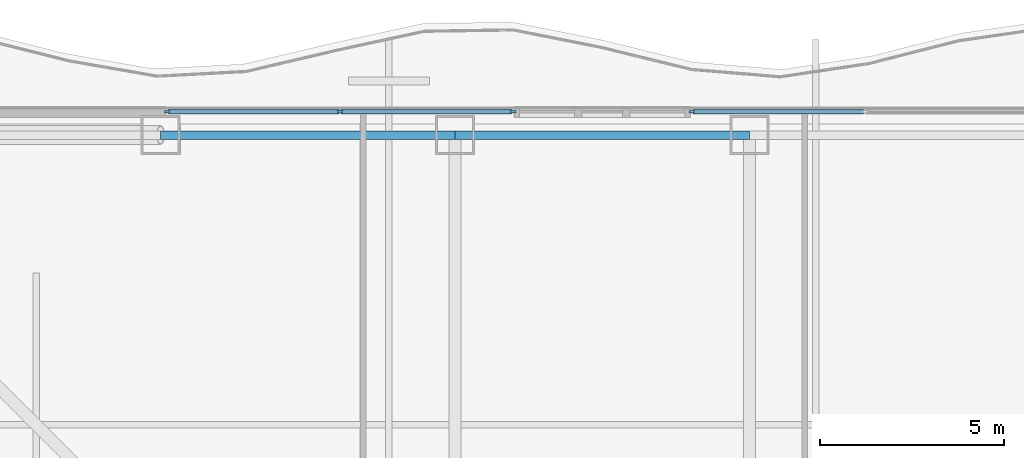
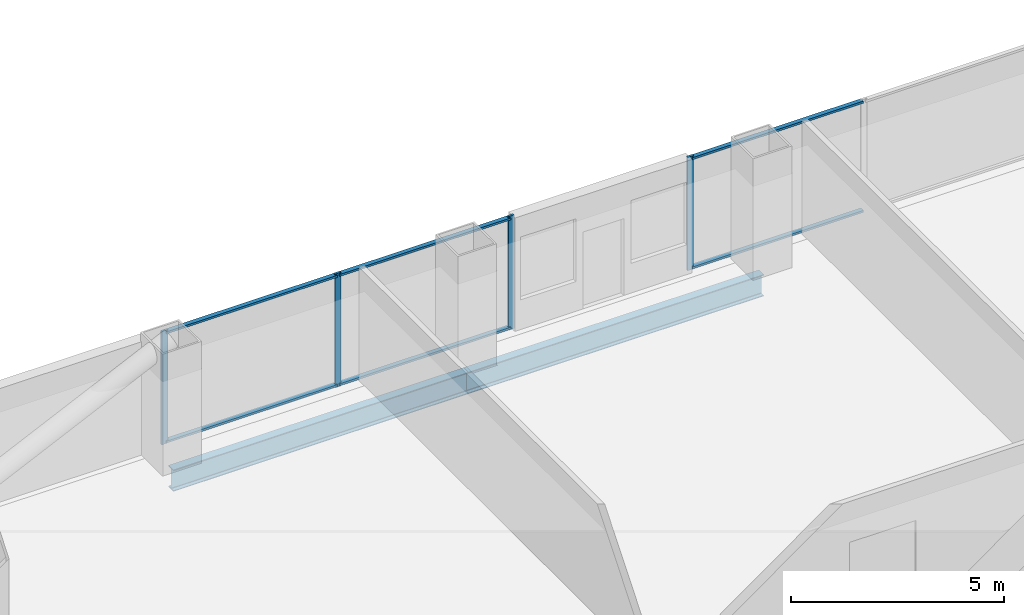
# One storey, part 11 of 24: 10 members, 2 beams, 2 elements without a shape of their own.
"""IFC4 building model written with IfcOpenShell, lengths in metres."""

import ifcopenshell
import ifcopenshell.guid

model = None  # the IFC model being written
_history = None  # IfcOwnerHistory: only IFC2X3 demands one
_inside = {}  # id of a spatial element -> (the spatial element, [elements in it])
_under = {}  # id of a project, library or spatial element -> (it, [spatial elements below it])
_declared = {}  # id of a project -> (the project, [libraries it declares])
_typed = {}  # id of a type object -> (the type object, [elements of that type])
_made_of = {}  # id of a material, layer set ... -> (it, [elements and type objects made of it])


def new_model(schema):
    """Start an empty IFC model of exactly this schema.

    Asked for "IFC4X3", IfcOpenShell would pick the latest addendum, in which some entities
    have other attributes; the version numbers below select the first issue.
    IFC2X3 requires an IfcOwnerHistory on every rooted entity: one is made here for all.
    """
    global model, _history
    if schema == "IFC4X3":
        model = ifcopenshell.file(schema_version=(4, 3, 0, 0))
    else:
        model = ifcopenshell.file(schema=schema)
    _inside.clear()
    _under.clear()
    _declared.clear()
    _typed.clear()
    _made_of.clear()
    _history = None
    if model.schema == "IFC2X3":
        org = make("IfcOrganization", Name="unknown")
        user = make(
            "IfcPersonAndOrganization",
            ThePerson=make("IfcPerson", FamilyName="unknown"),
            TheOrganization=org,
        )
        app = make(
            "IfcApplication",
            ApplicationDeveloper=org,
            Version="unknown",
            ApplicationFullName="unknown",
            ApplicationIdentifier="unknown",
        )
        _history = make(
            "IfcOwnerHistory",
            OwningUser=user,
            OwningApplication=app,
            ChangeAction="ADDED",
            CreationDate=0,
        )
    return model


def make(cls, **values):
    """One entity of the class cls with the attributes given. An attribute that is None is left unset."""
    return model.create_entity(
        cls, **{name: value for name, value in values.items() if value is not None}
    )


def rooted(cls, **values):
    """An entity with a GlobalId (a new one), such as an element, a storey or a relation."""
    return make(cls, GlobalId=ifcopenshell.guid.new(), OwnerHistory=_history, **values)


def si_unit(unit_type, name, prefix=None):
    """IfcSIUnit, for example si_unit("LENGTHUNIT", "METRE", prefix="MILLI")."""
    return make("IfcSIUnit", UnitType=unit_type, Prefix=prefix, Name=name)


def assignment(units):
    """IfcUnitAssignment: the units of a project."""
    return None if units is None else make("IfcUnitAssignment", Units=units)


def point(xyz):
    """IfcCartesianPoint."""
    return None if xyz is None else make("IfcCartesianPoint", Coordinates=xyz)


def direction(xyz):
    """IfcDirection."""
    return None if xyz is None else make("IfcDirection", DirectionRatios=xyz)


def frame(location, z_axis=None, x_axis=None):
    """IfcAxis2Placement3D, a coordinate frame: its origin and axes. An axis left out is left unset."""
    return make(
        "IfcAxis2Placement3D",
        Location=point(location),
        Axis=direction(z_axis),
        RefDirection=direction(x_axis),
    )


def frame_2d(location, x_axis=None):
    """IfcAxis2Placement2D, a coordinate frame in the plane: its origin and x axis."""
    return make(
        "IfcAxis2Placement2D", Location=point(location), RefDirection=direction(x_axis)
    )


def origin():
    """The frame at (0, 0, 0) with its axes left unset."""
    return frame((0.0, 0.0, 0.0))


def origin_2d():
    """The frame at (0, 0) in the plane with its x axis left unset."""
    return frame_2d((0.0, 0.0))


def place(relative_to, where):
    """IfcLocalPlacement: puts the frame where relative to a parent placement (None: the world)."""
    return make(
        "IfcLocalPlacement", PlacementRelTo=relative_to, RelativePlacement=where
    )


def context(
    kind, dimensions, precision=None, world=None, true_north=None, identifier=None
):
    """IfcGeometricRepresentationContext, for example the 3D "Model" context."""
    return make(
        "IfcGeometricRepresentationContext",
        ContextIdentifier=identifier,
        ContextType=kind,
        CoordinateSpaceDimension=dimensions,
        Precision=precision,
        WorldCoordinateSystem=world,
        TrueNorth=true_north,
    )


def subcontext(parent, identifier, kind, view, scale=None):
    """IfcGeometricRepresentationSubContext, for example "Body" below "Model"."""
    return make(
        "IfcGeometricRepresentationSubContext",
        ContextIdentifier=identifier,
        ContextType=kind,
        ParentContext=parent,
        TargetScale=scale,
        TargetView=view,
    )


def project(units=None, contexts=None):
    """IfcProject with its units and contexts."""
    return rooted(
        "IfcProject",
        Name="project",
        RepresentationContexts=contexts,
        UnitsInContext=assignment(units),
    )


def spatial(cls, under=None, at=None, **own):
    """A site, building, storey or space (cls), placed at a placement, below another one or the project."""
    s = rooted(cls, ObjectPlacement=at, **own)
    if under is not None:
        _under.setdefault(under.id(), (under, []))[1].append(s)
    return s


def profile(cls, at=None, kind="AREA", **sizes):
    """A parametric profile (cls). Its sizes go by their IFC names, for example OverallWidth=200.0."""
    return make(cls, ProfileType=kind, Position=at, **sizes)


def rectangle(**sizes):
    """IfcRectangleProfileDef."""
    return profile("IfcRectangleProfileDef", **sizes)


def i_section(**sizes):
    """IfcIShapeProfileDef."""
    return profile("IfcIShapeProfileDef", **sizes)


def extrude(swept, where, along, depth):
    """IfcExtrudedAreaSolid: the profile swept, set in the frame where, extruded along a direction by depth."""
    return make(
        "IfcExtrudedAreaSolid",
        SweptArea=swept,
        Position=where,
        ExtrudedDirection=direction(along),
        Depth=depth,
    )


def shape(context_of_items, identifier, shape_type, items):
    """IfcShapeRepresentation: the items that make up one representation, for example the "Body"."""
    return make(
        "IfcShapeRepresentation",
        ContextOfItems=context_of_items,
        RepresentationIdentifier=identifier,
        RepresentationType=shape_type,
        Items=items,
    )


def material(Name=None, Category=None):
    """IfcMaterial."""
    return make("IfcMaterial", Name=Name, Category=Category)


def layer(
    of_material, thickness, ventilated=None, Name=None, Category=None, Priority=None
):
    """IfcMaterialLayer: one layer of a wall or slab, of a material (None: an air gap)."""
    return make(
        "IfcMaterialLayer",
        Material=of_material,
        LayerThickness=thickness,
        IsVentilated=ventilated,
        Name=Name,
        Category=Category,
        Priority=Priority,
    )


def layer_set(layers, Name=None):
    """IfcMaterialLayerSet."""
    return make("IfcMaterialLayerSet", MaterialLayers=layers, LayerSetName=Name)


def material_profile(
    of_material, cross_section, Name=None, Category=None, Priority=None
):
    """IfcMaterialProfile: a cross section and its material."""
    return make(
        "IfcMaterialProfile",
        Name=Name,
        Material=of_material,
        Profile=cross_section,
        Priority=Priority,
        Category=Category,
    )


def profile_set(profiles, Name=None, composite=None):
    """IfcMaterialProfileSet."""
    return make(
        "IfcMaterialProfileSet",
        Name=Name,
        MaterialProfiles=profiles,
        CompositeProfile=composite,
    )


def made_of(thing, what):
    """Note that an element or type object is made of a material, layer set ...; save() writes the relation."""
    if what is not None:
        _made_of.setdefault(what.id(), (what, []))[1].append(thing)
    return thing


def type_object(cls, material=None, **own):
    """A type object (cls), such as IfcWallType, which elements share."""
    return made_of(rooted(cls, **own), material)


def element(
    cls,
    number,
    at=None,
    inside=None,
    cuts=None,
    type_object=None,
    material=None,
    context=None,
    identifier="Body",
    shape_type=None,
    held_by="IfcProductDefinitionShape",
    body=None,
    shapes=None,
    **own,
):
    """One element of the class cls, such as IfcWall. Its Tag is "e" and its number.

    at: its placement. inside: the storey or other place that contains it. cuts: it is an
    opening in that element (IfcRelVoidsElement). A single representation is given by context,
    identifier, shape_type and body (its items); several are given by shapes. held_by: the class
    of the entity that holds the representations. save() writes the other relations.
    """
    e = rooted(cls, Tag="e%d" % number, ObjectPlacement=at, **own)
    if body is not None:
        shapes = [shape(context, identifier, shape_type, body)]
    if shapes is not None:
        e.Representation = make(held_by, Representations=shapes)
    if inside is not None:
        _inside.setdefault(inside.id(), (inside, []))[1].append(e)
    if cuts is not None:
        rooted(
            "IfcRelVoidsElement", RelatingBuildingElement=cuts, RelatedOpeningElement=e
        )
    if type_object is not None:
        _typed.setdefault(type_object.id(), (type_object, []))[1].append(e)
    return made_of(e, material)


def aggregate(whole, parts):
    """IfcRelAggregates: a whole, such as a stair, and the parts it consists of."""
    return rooted("IfcRelAggregates", RelatingObject=whole, RelatedObjects=parts)


def save(model, path):
    """Write the relations noted so far, then the file.

    IfcRelAggregates (storeys below a building ...), IfcRelContainedInSpatialStructure (elements
    in a storey), IfcRelDefinesByType, IfcRelAssociatesMaterial and IfcRelDeclares: one each for
    every whole, place, type object, material and project.
    """
    for whole, parts in _under.values():
        aggregate(whole, parts)
    for where, things in _inside.values():
        rooted(
            "IfcRelContainedInSpatialStructure",
            RelatedElements=things,
            RelatingStructure=where,
        )
    for kind, things in _typed.values():
        rooted("IfcRelDefinesByType", RelatedObjects=things, RelatingType=kind)
    for what, things in _made_of.values():
        rooted("IfcRelAssociatesMaterial", RelatedObjects=things, RelatingMaterial=what)
    for by, libraries in _declared.values():
        rooted("IfcRelDeclares", RelatingContext=by, RelatedDefinitions=libraries)
    model.write(path)


model = new_model("IFC4")

# Units and contexts
model_context = context("Model", 3, precision=1e-05, world=origin(), true_north=direction((0.0, 1.0)))
body_context = subcontext(model_context, "Body", "Model", "MODEL_VIEW")
ifc_project = project(units=[si_unit("LENGTHUNIT", "METRE"), si_unit("AREAUNIT", "SQUARE_METRE"), si_unit("VOLUMEUNIT", "CUBIC_METRE"), si_unit("PLANEANGLEUNIT", "RADIAN"), si_unit("MASSUNIT", "GRAM", prefix="KILO")], contexts=[model_context])

# Site, building, storey
site_placement = place(None, origin())
site = spatial("IfcSite", under=ifc_project, at=site_placement, CompositionType="ELEMENT")
building_placement = place(site_placement, origin())
building = spatial("IfcBuilding", under=site, at=building_placement, Name="Trevonay Congress Spire", CompositionType="ELEMENT")
storey_placement = place(building_placement, frame((0.0, 0.0, 55.0)))
storey = spatial("IfcBuildingStorey", under=building, at=storey_placement, Name="L13", CompositionType="ELEMENT", Elevation=55.0)

# Beams
ifc_material_1 = material(Name="Steel ASTM A572 Grade 50", Category="steel")
ifc_material_profile_1 = material_profile(ifc_material_1, i_section(OverallWidth=0.22998046875, OverallDepth=0.616943359375, WebThickness=0.01318359375, FlangeThickness=0.022216796875, FilletRadius=0.01611328125, at=origin_2d()), Name="W610x140")
ifc_profile_set_1 = profile_set([ifc_material_profile_1], Name="Steel ASTM A572 Grade 50")
beam_type = type_object("IfcBeamType", Name="BM-RING-W610X140", PredefinedType="BEAM", material=ifc_profile_set_1)
for number, where, z_axis, x_axis, name in (
    (1, (-12.0, 23.25, -0.55859375), (1.0, 0.0, 0.0), (0.0, 1.0, 0.0), "L13 structural beam BM-L13-PN2"),
    (2, (-4.0, 23.25, -0.55859375), (1.0, 0.0, 0.0), (0.0, 1.0, 0.0), "L13 structural beam BM-L13-PN3"),
):
    element("IfcBeam", number, at=place(storey_placement, frame(where, z_axis=z_axis, x_axis=x_axis)), inside=storey, type_object=beam_type, Name=name, PredefinedType="BEAM", context=body_context, shape_type="SweptSolid", body=[
        extrude(i_section(OverallWidth=0.22998046875, OverallDepth=0.616943359375, WebThickness=0.01318359375, FlangeThickness=0.022216796875, FilletRadius=0.01611328125, at=origin_2d()), origin(), (0.0, 0.0, 1.0), 8.0),
    ])

# Curtain wall, members
ifc_material_2 = material(Name="Pale Anodised Aluminium EN AW-6063-T6", Category="aluminium")
ifc_layer = layer(ifc_material_2, 0.179931640625, Name="Pale Anodised Aluminium EN AW-6063-T6")
ifc_layer_set = layer_set([ifc_layer], Name="Pale Anodised Aluminium EN AW-6063-T6")
curtain_wall_type = type_object("IfcCurtainWallType", Name="CW-SYS02-HOTEL-PALE-METAL", PredefinedType="NOTDEFINED", material=ifc_layer_set)
curtain_wall_1_placement = place(storey_placement, origin())
curtain_wall_1 = element("IfcCurtainWall", 3, at=curtain_wall_1_placement, inside=storey, type_object=curtain_wall_type, Name="L13 NA unitised curtain wall", PredefinedType="NOTDEFINED")
ifc_material_profile_2 = material_profile(ifc_material_2, rectangle(XDim=0.06005859375, YDim=0.159912109375, at=origin_2d()), Name="CW-MULLION-160-ALUMINIUM")
ifc_profile_set_2 = profile_set([ifc_material_profile_2], Name="Pale Anodised Aluminium EN AW-6063-T6")
member_type_1 = type_object("IfcMemberType", Name="CW-MULLION-160-ALUMINIUM", PredefinedType="MULLION", material=ifc_profile_set_2)
member_1_placement = place(storey_placement, frame((-11.820068359375, 23.8798828125, 0.0), z_axis=(0.0, 0.0, 1.0), x_axis=(0.0, 1.0, 0.0)))
member_1 = element("IfcMember", 4, at=member_1_placement, type_object=member_type_1, Name="CW02 mullion 1", PredefinedType="MULLION", context=body_context, shape_type="SweptSolid", body=[
    extrude(rectangle(XDim=0.06005859375, YDim=0.159912109375, at=origin_2d()), origin(), (0.0, 0.0, 1.0), 3.25),
])
member_2_placement = place(storey_placement, frame((-7.125, 23.8798828125, 0.0), z_axis=(0.0, 0.0, 1.0), x_axis=(0.0, 1.0, 0.0)))
member_2 = element("IfcMember", 5, at=member_2_placement, type_object=member_type_1, Name="CW02 mullion 2", PredefinedType="MULLION", context=body_context, shape_type="SweptSolid", body=[
    extrude(rectangle(XDim=0.06005859375, YDim=0.159912109375, at=origin_2d()), origin(), (0.0, 0.0, 1.0), 3.25),
])
member_3_placement = place(storey_placement, frame((-2.429931640625, 23.8798828125, 0.0), z_axis=(0.0, 0.0, 1.0), x_axis=(0.0, 1.0, 0.0)))
member_3 = element("IfcMember", 6, at=member_3_placement, type_object=member_type_1, Name="CW02 mullion 3", PredefinedType="MULLION", context=body_context, shape_type="SweptSolid", body=[
    extrude(rectangle(XDim=0.06005859375, YDim=0.159912109375, at=origin_2d()), origin(), (0.0, 0.0, 1.0), 3.25),
])

# Curtain wall, member
curtain_wall_2_placement = place(storey_placement, origin())
curtain_wall_2 = element("IfcCurtainWall", 7, at=curtain_wall_2_placement, inside=storey, type_object=curtain_wall_type, Name="L13 NB unitised curtain wall", PredefinedType="NOTDEFINED")
member_4_placement = place(storey_placement, frame((2.429931640625, 23.8798828125, 0.0), z_axis=(0.0, 0.0, 1.0), x_axis=(0.0, 1.0, 0.0)))
member_4 = element("IfcMember", 8, at=member_4_placement, type_object=member_type_1, Name="CW02 mullion 1", PredefinedType="MULLION", context=body_context, shape_type="SweptSolid", body=[
    extrude(rectangle(XDim=0.06005859375, YDim=0.159912109375, at=origin_2d()), origin(), (0.0, 0.0, 1.0), 3.25),
])

# Member
ifc_material_profile_3 = material_profile(ifc_material_2, rectangle(XDim=0.1201171875, YDim=0.06005859375, at=origin_2d()), Name="CW-TRANSOM-120-ALUMINIUM")
ifc_profile_set_3 = profile_set([ifc_material_profile_3], Name="Pale Anodised Aluminium EN AW-6063-T6")
member_type_2 = type_object("IfcMemberType", Name="CW-TRANSOM-120-ALUMINIUM", PredefinedType="USERDEFINED", material=ifc_profile_set_3)
member_5_placement = place(storey_placement, frame((-11.7900390625, 23.8798828125, 0.06005859375), z_axis=(1.0, 0.0, 0.0), x_axis=(0.0, 1.0, 0.0)))
member_5 = element("IfcMember", 9, at=member_5_placement, type_object=member_type_2, Name="CW02 transom 1.1", ObjectType="TRANSOM", PredefinedType="USERDEFINED", context=body_context, shape_type="SweptSolid", body=[
    extrude(rectangle(XDim=0.1201171875, YDim=0.06005859375, at=origin_2d()), origin(), (0.0, 0.0, 1.0), 4.635009765625),
])

member_6_placement = place(storey_placement, frame((-11.7900390625, 23.8798828125, 3.18994140625), z_axis=(1.0, 0.0, 0.0), x_axis=(0.0, 1.0, 0.0)))
member_6 = element("IfcMember", 10, at=member_6_placement, type_object=member_type_2, Name="CW02 transom 1.2", ObjectType="TRANSOM", PredefinedType="USERDEFINED", context=body_context, shape_type="SweptSolid", body=[
    extrude(rectangle(XDim=0.1201171875, YDim=0.06005859375, at=origin_2d()), origin(), (0.0, 0.0, 1.0), 4.635009765625),
])

member_7_placement = place(storey_placement, frame((-7.094970703125, 23.8798828125, 0.06005859375), z_axis=(1.0, 0.0, 0.0), x_axis=(0.0, 1.0, 0.0)))
member_7 = element("IfcMember", 11, at=member_7_placement, type_object=member_type_2, Name="CW02 transom 2.1", ObjectType="TRANSOM", PredefinedType="USERDEFINED", context=body_context, shape_type="SweptSolid", body=[
    extrude(rectangle(XDim=0.1201171875, YDim=0.06005859375, at=origin_2d()), origin(), (0.0, 0.0, 1.0), 4.635009765625),
])

member_8_placement = place(storey_placement, frame((-7.094970703125, 23.8798828125, 3.18994140625), z_axis=(1.0, 0.0, 0.0), x_axis=(0.0, 1.0, 0.0)))
member_8 = element("IfcMember", 12, at=member_8_placement, type_object=member_type_2, Name="CW02 transom 2.2", ObjectType="TRANSOM", PredefinedType="USERDEFINED", context=body_context, shape_type="SweptSolid", body=[
    extrude(rectangle(XDim=0.1201171875, YDim=0.06005859375, at=origin_2d()), origin(), (0.0, 0.0, 1.0), 4.635009765625),
])

aggregate(curtain_wall_1, [member_1, member_2, member_3, member_5, member_6, member_7, member_8])

member_9_placement = place(storey_placement, frame((2.4599609375, 23.8798828125, 0.06005859375), z_axis=(1.0, 0.0, 0.0), x_axis=(0.0, 1.0, 0.0)))
member_9 = element("IfcMember", 13, at=member_9_placement, type_object=member_type_2, Name="CW02 transom 1.1", ObjectType="TRANSOM", PredefinedType="USERDEFINED", context=body_context, shape_type="SweptSolid", body=[
    extrude(rectangle(XDim=0.1201171875, YDim=0.06005859375, at=origin_2d()), origin(), (0.0, 0.0, 1.0), 4.635009765625),
])

member_10_placement = place(storey_placement, frame((2.4599609375, 23.8798828125, 3.18994140625), z_axis=(1.0, 0.0, 0.0), x_axis=(0.0, 1.0, 0.0)))
member_10 = element("IfcMember", 14, at=member_10_placement, type_object=member_type_2, Name="CW02 transom 1.2", ObjectType="TRANSOM", PredefinedType="USERDEFINED", context=body_context, shape_type="SweptSolid", body=[
    extrude(rectangle(XDim=0.1201171875, YDim=0.06005859375, at=origin_2d()), origin(), (0.0, 0.0, 1.0), 4.635009765625),
])

aggregate(curtain_wall_2, [member_4, member_9, member_10])

save(model, "model.ifc")
